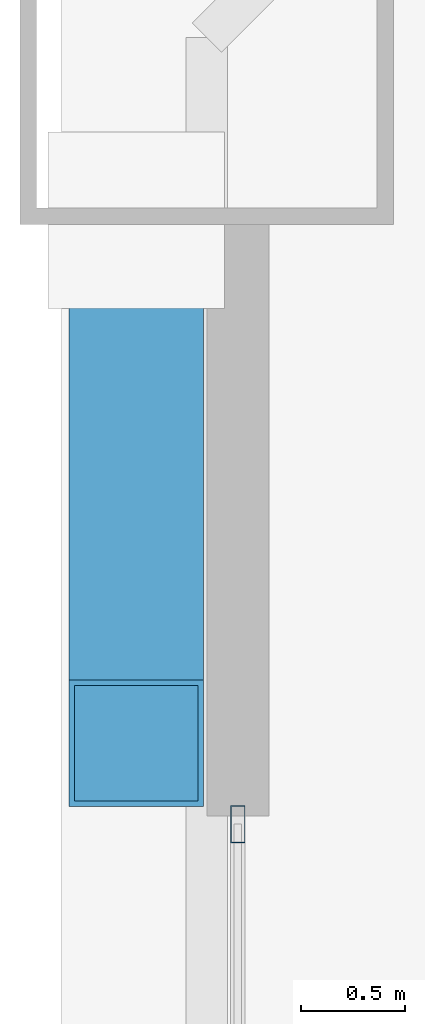
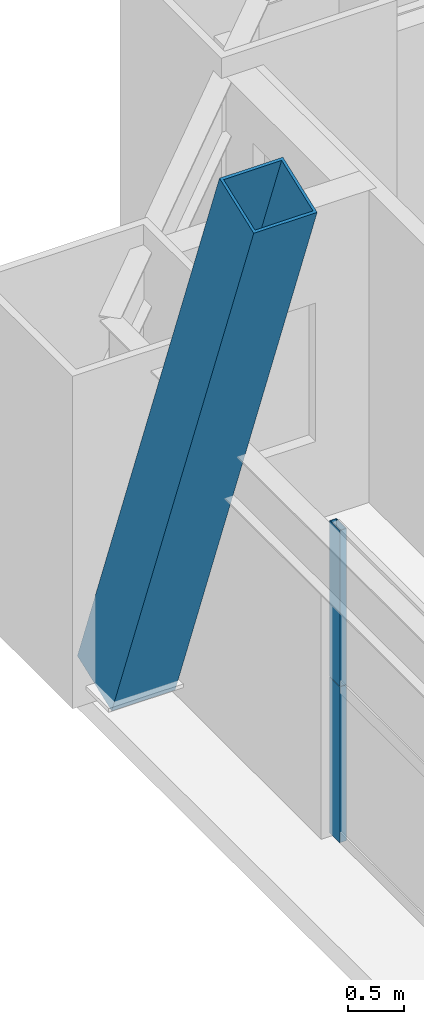
# One storey, part 24 of 43: 3 members, 1 element without a shape of its own.
"""IFC4 building model written with IfcOpenShell, lengths in metres."""

import ifcopenshell
import ifcopenshell.guid

model = None  # the IFC model being written
_history = None  # IfcOwnerHistory: only IFC2X3 demands one
_inside = {}  # id of a spatial element -> (the spatial element, [elements in it])
_under = {}  # id of a project, library or spatial element -> (it, [spatial elements below it])
_declared = {}  # id of a project -> (the project, [libraries it declares])
_typed = {}  # id of a type object -> (the type object, [elements of that type])
_made_of = {}  # id of a material, layer set ... -> (it, [elements and type objects made of it])


def new_model(schema):
    """Start an empty IFC model of exactly this schema.

    Asked for "IFC4X3", IfcOpenShell would pick the latest addendum, in which some entities
    have other attributes; the version numbers below select the first issue.
    IFC2X3 requires an IfcOwnerHistory on every rooted entity: one is made here for all.
    """
    global model, _history
    if schema == "IFC4X3":
        model = ifcopenshell.file(schema_version=(4, 3, 0, 0))
    else:
        model = ifcopenshell.file(schema=schema)
    _inside.clear()
    _under.clear()
    _declared.clear()
    _typed.clear()
    _made_of.clear()
    _history = None
    if model.schema == "IFC2X3":
        org = make("IfcOrganization", Name="unknown")
        user = make(
            "IfcPersonAndOrganization",
            ThePerson=make("IfcPerson", FamilyName="unknown"),
            TheOrganization=org,
        )
        app = make(
            "IfcApplication",
            ApplicationDeveloper=org,
            Version="unknown",
            ApplicationFullName="unknown",
            ApplicationIdentifier="unknown",
        )
        _history = make(
            "IfcOwnerHistory",
            OwningUser=user,
            OwningApplication=app,
            ChangeAction="ADDED",
            CreationDate=0,
        )
    return model


def make(cls, **values):
    """One entity of the class cls with the attributes given. An attribute that is None is left unset."""
    return model.create_entity(
        cls, **{name: value for name, value in values.items() if value is not None}
    )


def rooted(cls, **values):
    """An entity with a GlobalId (a new one), such as an element, a storey or a relation."""
    return make(cls, GlobalId=ifcopenshell.guid.new(), OwnerHistory=_history, **values)


def si_unit(unit_type, name, prefix=None):
    """IfcSIUnit, for example si_unit("LENGTHUNIT", "METRE", prefix="MILLI")."""
    return make("IfcSIUnit", UnitType=unit_type, Prefix=prefix, Name=name)


def assignment(units):
    """IfcUnitAssignment: the units of a project."""
    return None if units is None else make("IfcUnitAssignment", Units=units)


def point(xyz):
    """IfcCartesianPoint."""
    return None if xyz is None else make("IfcCartesianPoint", Coordinates=xyz)


def direction(xyz):
    """IfcDirection."""
    return None if xyz is None else make("IfcDirection", DirectionRatios=xyz)


def frame(location, z_axis=None, x_axis=None):
    """IfcAxis2Placement3D, a coordinate frame: its origin and axes. An axis left out is left unset."""
    return make(
        "IfcAxis2Placement3D",
        Location=point(location),
        Axis=direction(z_axis),
        RefDirection=direction(x_axis),
    )


def frame_2d(location, x_axis=None):
    """IfcAxis2Placement2D, a coordinate frame in the plane: its origin and x axis."""
    return make(
        "IfcAxis2Placement2D", Location=point(location), RefDirection=direction(x_axis)
    )


def origin():
    """The frame at (0, 0, 0) with its axes left unset."""
    return frame((0.0, 0.0, 0.0))


def origin_2d():
    """The frame at (0, 0) in the plane with its x axis left unset."""
    return frame_2d((0.0, 0.0))


def place(relative_to, where):
    """IfcLocalPlacement: puts the frame where relative to a parent placement (None: the world)."""
    return make(
        "IfcLocalPlacement", PlacementRelTo=relative_to, RelativePlacement=where
    )


def context(
    kind, dimensions, precision=None, world=None, true_north=None, identifier=None
):
    """IfcGeometricRepresentationContext, for example the 3D "Model" context."""
    return make(
        "IfcGeometricRepresentationContext",
        ContextIdentifier=identifier,
        ContextType=kind,
        CoordinateSpaceDimension=dimensions,
        Precision=precision,
        WorldCoordinateSystem=world,
        TrueNorth=true_north,
    )


def subcontext(parent, identifier, kind, view, scale=None):
    """IfcGeometricRepresentationSubContext, for example "Body" below "Model"."""
    return make(
        "IfcGeometricRepresentationSubContext",
        ContextIdentifier=identifier,
        ContextType=kind,
        ParentContext=parent,
        TargetScale=scale,
        TargetView=view,
    )


def project(units=None, contexts=None):
    """IfcProject with its units and contexts."""
    return rooted(
        "IfcProject",
        Name="project",
        RepresentationContexts=contexts,
        UnitsInContext=assignment(units),
    )


def spatial(cls, under=None, at=None, **own):
    """A site, building, storey or space (cls), placed at a placement, below another one or the project."""
    s = rooted(cls, ObjectPlacement=at, **own)
    if under is not None:
        _under.setdefault(under.id(), (under, []))[1].append(s)
    return s


def profile(cls, at=None, kind="AREA", **sizes):
    """A parametric profile (cls). Its sizes go by their IFC names, for example OverallWidth=200.0."""
    return make(cls, ProfileType=kind, Position=at, **sizes)


def hollow_rectangle(**sizes):
    """IfcRectangleHollowProfileDef."""
    return profile("IfcRectangleHollowProfileDef", **sizes)


def extrude(swept, where, along, depth):
    """IfcExtrudedAreaSolid: the profile swept, set in the frame where, extruded along a direction by depth."""
    return make(
        "IfcExtrudedAreaSolid",
        SweptArea=swept,
        Position=where,
        ExtrudedDirection=direction(along),
        Depth=depth,
    )


def shape(context_of_items, identifier, shape_type, items):
    """IfcShapeRepresentation: the items that make up one representation, for example the "Body"."""
    return make(
        "IfcShapeRepresentation",
        ContextOfItems=context_of_items,
        RepresentationIdentifier=identifier,
        RepresentationType=shape_type,
        Items=items,
    )


def source(mapping_origin, context_of_items, identifier, shape_type, items):
    """IfcRepresentationMap: a shape defined once, which mapped items show again and again."""
    return make(
        "IfcRepresentationMap",
        MappingOrigin=mapping_origin,
        MappedRepresentation=shape(context_of_items, identifier, shape_type, items),
    )


def transform(
    local_origin,
    x_axis=None,
    y_axis=None,
    z_axis=None,
    scale=None,
    scale2=None,
    scale3=None,
    uniform=True,
):
    """IfcCartesianTransformationOperator3D, or its non-uniform kind. x_axis, y_axis, z_axis: its Axis1, 2, 3."""
    if uniform:
        return make(
            "IfcCartesianTransformationOperator3D",
            Axis1=direction(x_axis),
            Axis2=direction(y_axis),
            LocalOrigin=point(local_origin),
            Scale=scale,
            Axis3=direction(z_axis),
        )
    return make(
        "IfcCartesianTransformationOperator3DnonUniform",
        Axis1=direction(x_axis),
        Axis2=direction(y_axis),
        LocalOrigin=point(local_origin),
        Scale=scale,
        Axis3=direction(z_axis),
        Scale2=scale2,
        Scale3=scale3,
    )


def mapped(mapping_source, mapping_target):
    """IfcMappedItem: shows the shape of a source again, moved by a transform."""
    return make(
        "IfcMappedItem", MappingSource=mapping_source, MappingTarget=mapping_target
    )


def material(Name=None, Category=None):
    """IfcMaterial."""
    return make("IfcMaterial", Name=Name, Category=Category)


def layer(
    of_material, thickness, ventilated=None, Name=None, Category=None, Priority=None
):
    """IfcMaterialLayer: one layer of a wall or slab, of a material (None: an air gap)."""
    return make(
        "IfcMaterialLayer",
        Material=of_material,
        LayerThickness=thickness,
        IsVentilated=ventilated,
        Name=Name,
        Category=Category,
        Priority=Priority,
    )


def layer_set(layers, Name=None):
    """IfcMaterialLayerSet."""
    return make("IfcMaterialLayerSet", MaterialLayers=layers, LayerSetName=Name)


def material_profile(
    of_material, cross_section, Name=None, Category=None, Priority=None
):
    """IfcMaterialProfile: a cross section and its material."""
    return make(
        "IfcMaterialProfile",
        Name=Name,
        Material=of_material,
        Profile=cross_section,
        Priority=Priority,
        Category=Category,
    )


def profile_set(profiles, Name=None, composite=None):
    """IfcMaterialProfileSet."""
    return make(
        "IfcMaterialProfileSet",
        Name=Name,
        MaterialProfiles=profiles,
        CompositeProfile=composite,
    )


def made_of(thing, what):
    """Note that an element or type object is made of a material, layer set ...; save() writes the relation."""
    if what is not None:
        _made_of.setdefault(what.id(), (what, []))[1].append(thing)
    return thing


def type_object(cls, material=None, **own):
    """A type object (cls), such as IfcWallType, which elements share."""
    return made_of(rooted(cls, **own), material)


def element(
    cls,
    number,
    at=None,
    inside=None,
    cuts=None,
    type_object=None,
    material=None,
    context=None,
    identifier="Body",
    shape_type=None,
    held_by="IfcProductDefinitionShape",
    body=None,
    shapes=None,
    **own,
):
    """One element of the class cls, such as IfcWall. Its Tag is "e" and its number.

    at: its placement. inside: the storey or other place that contains it. cuts: it is an
    opening in that element (IfcRelVoidsElement). A single representation is given by context,
    identifier, shape_type and body (its items); several are given by shapes. held_by: the class
    of the entity that holds the representations. save() writes the other relations.
    """
    e = rooted(cls, Tag="e%d" % number, ObjectPlacement=at, **own)
    if body is not None:
        shapes = [shape(context, identifier, shape_type, body)]
    if shapes is not None:
        e.Representation = make(held_by, Representations=shapes)
    if inside is not None:
        _inside.setdefault(inside.id(), (inside, []))[1].append(e)
    if cuts is not None:
        rooted(
            "IfcRelVoidsElement", RelatingBuildingElement=cuts, RelatedOpeningElement=e
        )
    if type_object is not None:
        _typed.setdefault(type_object.id(), (type_object, []))[1].append(e)
    return made_of(e, material)


def aggregate(whole, parts):
    """IfcRelAggregates: a whole, such as a stair, and the parts it consists of."""
    return rooted("IfcRelAggregates", RelatingObject=whole, RelatedObjects=parts)


def save(model, path):
    """Write the relations noted so far, then the file.

    IfcRelAggregates (storeys below a building ...), IfcRelContainedInSpatialStructure (elements
    in a storey), IfcRelDefinesByType, IfcRelAssociatesMaterial and IfcRelDeclares: one each for
    every whole, place, type object, material and project.
    """
    for whole, parts in _under.values():
        aggregate(whole, parts)
    for where, things in _inside.values():
        rooted(
            "IfcRelContainedInSpatialStructure",
            RelatedElements=things,
            RelatingStructure=where,
        )
    for kind, things in _typed.values():
        rooted("IfcRelDefinesByType", RelatedObjects=things, RelatingType=kind)
    for what, things in _made_of.values():
        rooted("IfcRelAssociatesMaterial", RelatedObjects=things, RelatingMaterial=what)
    for by, libraries in _declared.values():
        rooted("IfcRelDeclares", RelatingContext=by, RelatedDefinitions=libraries)
    model.write(path)


model = new_model("IFC4")

# Units and contexts
model_context = context("Model", 3, precision=1e-05, world=origin(), true_north=direction((0.0, 1.0)))
body_context = subcontext(model_context, "Body", "Model", "MODEL_VIEW")
ifc_project = project(units=[si_unit("LENGTHUNIT", "METRE"), si_unit("AREAUNIT", "SQUARE_METRE"), si_unit("VOLUMEUNIT", "CUBIC_METRE"), si_unit("PLANEANGLEUNIT", "RADIAN"), si_unit("MASSUNIT", "GRAM", prefix="KILO"), si_unit("THERMODYNAMICTEMPERATUREUNIT", "KELVIN"), si_unit("POWERUNIT", "WATT")], contexts=[model_context])

# Site, building, storey
site_placement = place(None, origin())
site = spatial("IfcSite", under=ifc_project, at=site_placement, CompositionType="ELEMENT")
building_placement = place(site_placement, origin())
building = spatial("IfcBuilding", under=site, at=building_placement, Name="Yuzanri Waterfront Tower", CompositionType="ELEMENT")
storey_placement = place(building_placement, frame((0.0, 0.0, 53.199951171875)))
storey = spatial("IfcBuildingStorey", under=building, at=storey_placement, Name="L13", CompositionType="ELEMENT", Elevation=53.199951171875)

# Member
ifc_material_1 = material(Name="Steel Q420GJC", Category="steel")
ifc_material_profile_1 = material_profile(ifc_material_1, hollow_rectangle(XDim=0.64990234375, YDim=0.64990234375, WallThickness=0.028076171875, at=origin_2d()), Name="RHS 650x650x28")
ifc_profile_set_1 = profile_set([ifc_material_profile_1], Name="Steel Q420GJC")
member_type_1 = type_object("IfcMemberType", Name="Mega Brace Lower Q420GJC RHS 650x650x28", PredefinedType="BRACE", material=ifc_profile_set_1)
shared_shape_1 = source(origin(), body_context, "Body", "SweptSolid", [
    extrude(hollow_rectangle(XDim=0.64990234375, YDim=0.64990234375, WallThickness=0.028076171875, at=origin_2d()), origin(), (0.0, 0.0, 1.0), 7.158447265625),
])
member_1_placement = place(storey_placement, frame((11.56005859375, 46.419921875, 0.179931640625), z_axis=(0.0, -0.352035242291, 0.935986745731), x_axis=(1.0, 0.0, 0.0)))
element("IfcMember", 1, at=member_1_placement, inside=storey, type_object=member_type_1, Name="L13-L14 Perimeter Mega-Brace W-R", PredefinedType="BRACE", context=body_context, shape_type="MappedRepresentation", body=[
    mapped(shared_shape_1, transform((0.0, 0.0, 0.0), scale=1.0)),
])

# Curtain wall, members
ifc_material_2 = material(Name="Anodized Architectural Bronze", Category="metal")
ifc_layer = layer(ifc_material_2, 0.159912109375)
ifc_layer_set = layer_set([ifc_layer], Name="Anodized Architectural Bronze")
curtain_wall_type = type_object("IfcCurtainWallType", Name="Anodized Bronze Hotel Lower-Tier Recessed Unitized Curtain Wall 8100", PredefinedType="NOTDEFINED", material=ifc_layer_set)
curtain_wall_placement = place(storey_placement, origin())
curtain_wall = element("IfcCurtainWall", 2, at=curtain_wall_placement, inside=storey, type_object=curtain_wall_type, Name="L13 Curtain Wall CW-L13-WR", PredefinedType="NOTDEFINED")
ifc_material_3 = material(Name="Anodized Architectural Bronze", Category="metal")
ifc_material_profile_2 = material_profile(ifc_material_3, hollow_rectangle(XDim=0.070068359375, YDim=0.179931640625, WallThickness=0.00390625, at=origin_2d()), Name="CWM 70x180")
ifc_profile_set_2 = profile_set([ifc_material_profile_2], Name="Anodized Architectural Bronze")
member_type_2 = type_object("IfcMemberType", Name="Anodized Bronze Standard Curtain-Wall Mullion 70x180", PredefinedType="MULLION", material=ifc_profile_set_2)
shared_shape_2 = source(origin(), body_context, "Body", "SweptSolid", [
    extrude(hollow_rectangle(XDim=0.070068359375, YDim=0.179931640625, WallThickness=0.00390625, at=origin_2d()), origin(), (0.0, 0.0, 1.0), 1.68798828125),
])
member_2_placement = place(storey_placement, frame((12.050048828125, 43.510009765625, 0.0), z_axis=(0.0, 0.0, 1.0), x_axis=(1.0, 0.0, 0.0)))
member_2 = element("IfcMember", 3, at=member_2_placement, type_object=member_type_2, Name="CW-L13-WR Lower Mullion 02", PredefinedType="MULLION", context=body_context, shape_type="MappedRepresentation", body=[
    mapped(shared_shape_2, transform((0.0, 0.0, 0.0), scale=1.0)),
])
member_3_placement = place(storey_placement, frame((12.050048828125, 43.510009765625, 1.692138671875), z_axis=(0.0, 0.0, 1.0), x_axis=(1.0, 0.0, 0.0)))
member_3 = element("IfcMember", 4, at=member_3_placement, type_object=member_type_2, Name="CW-L13-WR Upper Mullion 02", PredefinedType="MULLION", context=body_context, shape_type="MappedRepresentation", body=[
    mapped(shared_shape_2, transform((0.0, 0.0, 0.0), scale=1.0)),
])
aggregate(curtain_wall, [member_2, member_3])

save(model, "model.ifc")
